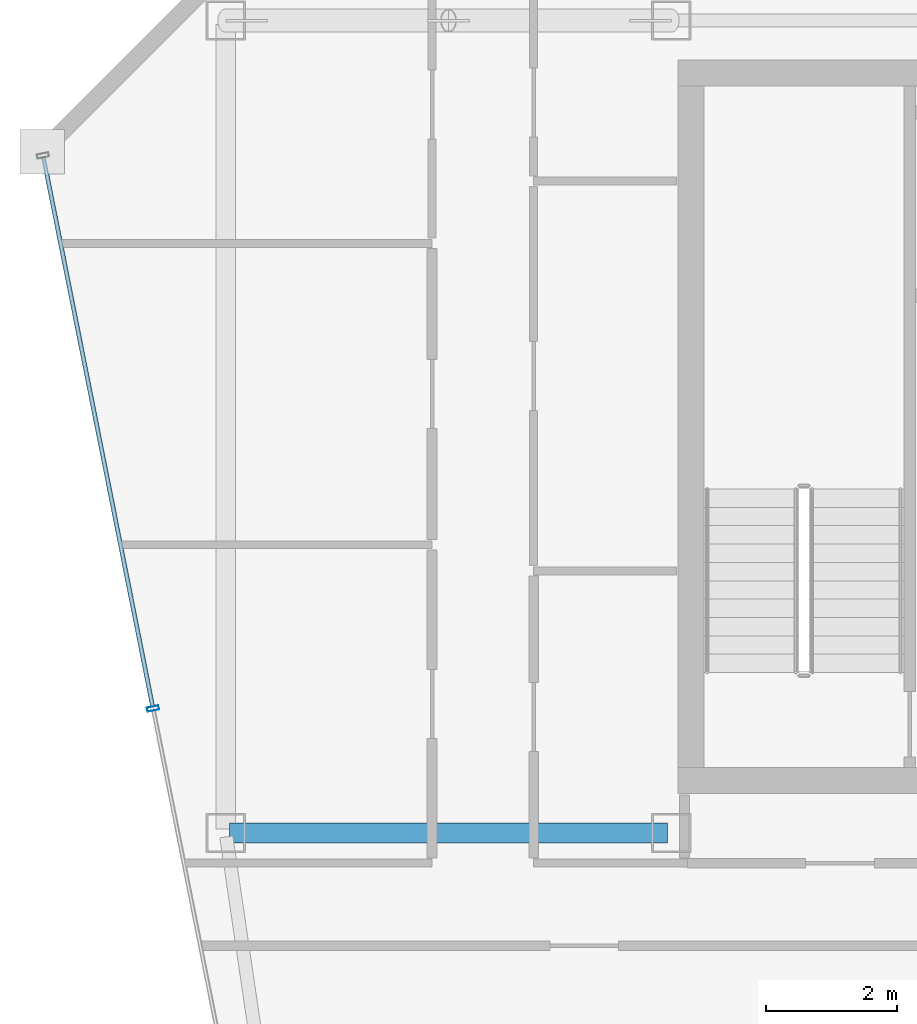
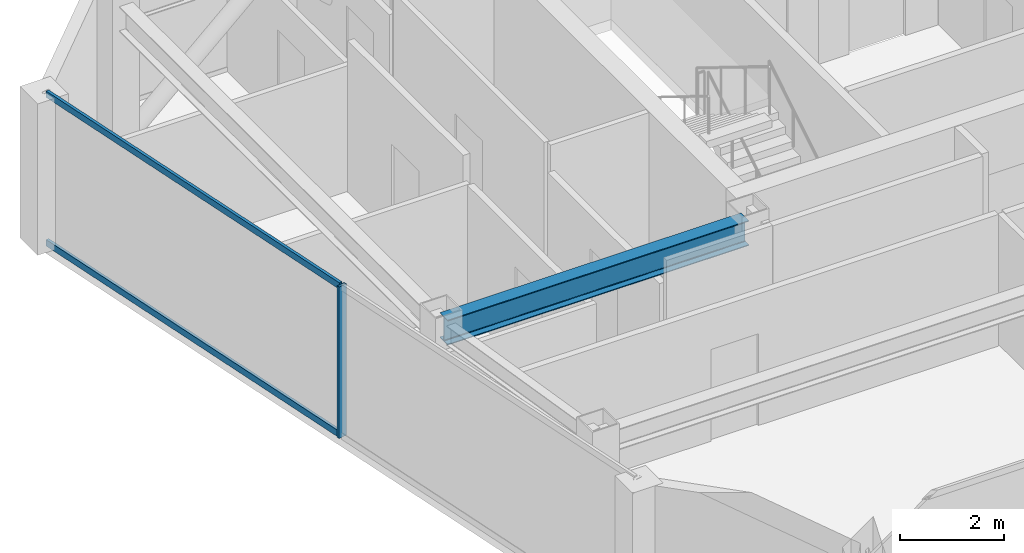
# One storey, part 5 of 24: 3 members, 1 beam, 1 element without a shape of its own.
"""IFC4 building model written with IfcOpenShell, lengths in metres."""

from ifc_helpers import new_model, si_unit, direction, frame, origin, origin_2d, place, context, subcontext, project, spatial, hollow_rectangle, i_section, extrude, material, material_profile, profile_set, type_object, element, aggregate, save


model = new_model("IFC4")

# Units and contexts
model_context = context("Model", 3, precision=1e-05, world=origin(), true_north=direction((0.0, 1.0)))
body_context = subcontext(model_context, "Body", "Model", "MODEL_VIEW")
ifc_project = project(units=[si_unit("LENGTHUNIT", "METRE"), si_unit("AREAUNIT", "SQUARE_METRE"), si_unit("VOLUMEUNIT", "CUBIC_METRE"), si_unit("PLANEANGLEUNIT", "RADIAN"), si_unit("MASSUNIT", "GRAM", prefix="KILO")], contexts=[model_context])

# Site, building, storey
site_placement = place(None, origin())
site = spatial("IfcSite", under=ifc_project, at=site_placement, CompositionType="ELEMENT")
building_placement = place(site_placement, origin())
building = spatial("IfcBuilding", under=site, at=building_placement, Name="Saevonmaru Cultural Tower", CompositionType="ELEMENT")
storey_placement = place(building_placement, frame((0.0, 0.0, 299.0)))
storey = spatial("IfcBuildingStorey", under=building, at=storey_placement, Name="L71", CompositionType="ELEMENT", Elevation=299.0)

# Beam
ifc_material_1 = material(Name="Steel SM355", Category="steel")
ifc_material_profile_1 = material_profile(ifc_material_1, i_section(OverallWidth=0.300048828125, OverallDepth=0.587890625, WebThickness=0.011962890625, FlangeThickness=0.02001953125, FilletRadius=0.02392578125, at=origin_2d()), Name="H-588x300x12x20")
ifc_profile_set_1 = profile_set([ifc_material_profile_1], Name="Steel SM355")
beam_type = type_object("IfcBeamType", Name="BM-G-H588", PredefinedType="BEAM", material=ifc_profile_set_1)
beam_placement = place(storey_placement, frame((6.860107421875, 42.39990234375, 3.256103515625), z_axis=(1.0, 0.0, 0.0), x_axis=(0.0, 1.0, 0.0)))
element("IfcBeam", 1, at=beam_placement, inside=storey, type_object=beam_type, Name="L71 Core South Girder 1", PredefinedType="BEAM", context=body_context, shape_type="SweptSolid", body=[
    extrude(i_section(OverallWidth=0.300048828125, OverallDepth=0.587890625, WebThickness=0.011962890625, FlangeThickness=0.02001953125, FilletRadius=0.02392578125, at=origin_2d()), origin(), (0.0, 0.0, 1.0), 6.679931640625),
])

# Curtain wall, members
ifc_material_2 = material(Name="Satin Bronze Anodised Aluminium", Category="aluminium")
curtain_wall_type = type_object("IfcCurtainWallType", Name="CW-TYP-B", PredefinedType="NOTDEFINED", material=ifc_material_2)
curtain_wall_placement = place(storey_placement, origin())
curtain_wall = element("IfcCurtainWall", 2, at=curtain_wall_placement, inside=storey, type_object=curtain_wall_type, Name="L71 Unitised Curtain Wall E12", PredefinedType="NOTDEFINED")
ifc_material_profile_2 = material_profile(ifc_material_2, hollow_rectangle(XDim=0.06494140625, YDim=0.179931640625, WallThickness=0.00390625, at=origin_2d()), Name="ALU-MULL-180x65x4")
ifc_profile_set_2 = profile_set([ifc_material_profile_2], Name="Satin Bronze Anodised Aluminium")
member_type_1 = type_object("IfcMemberType", Name="ML-CW-180x65", PredefinedType="MULLION", material=ifc_profile_set_2)
member_1_placement = place(storey_placement, frame((5.68994140625, 44.300048828125, 0.0), z_axis=(0.0, 0.0, 1.0), x_axis=(0.195005484813, -0.980802151758, 0.0)))
member_1 = element("IfcMember", 3, at=member_1_placement, type_object=member_type_1, Name="CW-TW-L71-E12 mullion 2", PredefinedType="MULLION", context=body_context, shape_type="SweptSolid", body=[
    extrude(hollow_rectangle(XDim=0.06494140625, YDim=0.179931640625, WallThickness=0.00390625, at=origin_2d()), origin(), (0.0, 0.0, 1.0), 3.550048828125),
])
ifc_material_profile_3 = material_profile(ifc_material_2, hollow_rectangle(XDim=0.06494140625, YDim=0.14990234375, WallThickness=0.00390625, at=origin_2d()), Name="ALU-TRAN-150x65x4")
ifc_profile_set_3 = profile_set([ifc_material_profile_3], Name="Satin Bronze Anodised Aluminium")
member_type_2 = type_object("IfcMemberType", Name="TR-CW-150x65", PredefinedType="USERDEFINED", material=ifc_profile_set_3)
member_2_placement = place(storey_placement, frame((4.01806640625, 52.709228515625, 0.032470703125), z_axis=(0.194994665552, -0.980804302808, 0.0), x_axis=(0.980804302808, 0.194994665552, 0.0)))
member_2 = element("IfcMember", 4, at=member_2_placement, type_object=member_type_2, Name="CW-TW-L71-E12 transom 1.1", ObjectType="TRANSOM", PredefinedType="USERDEFINED", context=body_context, shape_type="SweptSolid", body=[
    extrude(hollow_rectangle(XDim=0.06494140625, YDim=0.14990234375, WallThickness=0.00390625, at=origin_2d()), origin(), (0.0, 0.0, 1.0), 8.54150390625),
])
member_3_placement = place(storey_placement, frame((4.01806640625, 52.709228515625, 3.517578125), z_axis=(0.194994665552, -0.980804302808, 0.0), x_axis=(0.980804302808, 0.194994665552, 0.0)))
member_3 = element("IfcMember", 5, at=member_3_placement, type_object=member_type_2, Name="CW-TW-L71-E12 transom 1.2", ObjectType="TRANSOM", PredefinedType="USERDEFINED", context=body_context, shape_type="SweptSolid", body=[
    extrude(hollow_rectangle(XDim=0.06494140625, YDim=0.14990234375, WallThickness=0.00390625, at=origin_2d()), origin(), (0.0, 0.0, 1.0), 8.54150390625),
])
aggregate(curtain_wall, [member_1, member_2, member_3])

save(model, "model.ifc")
